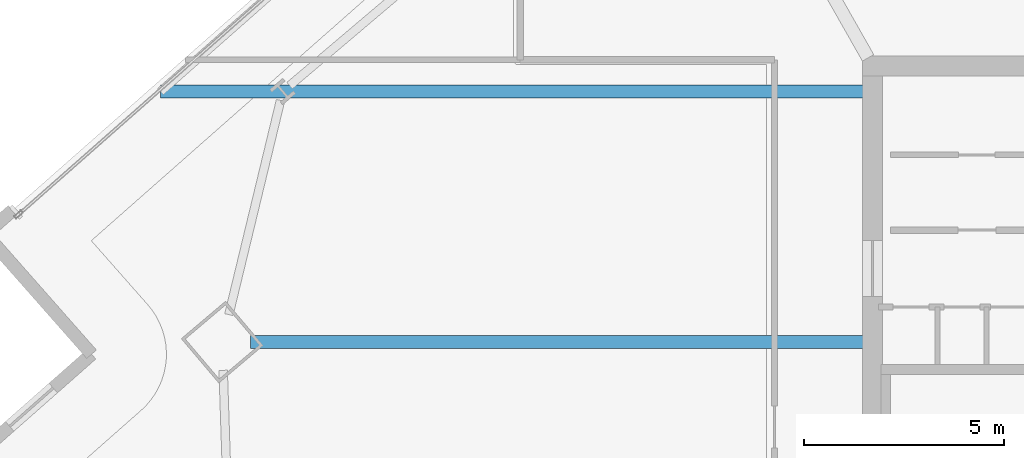
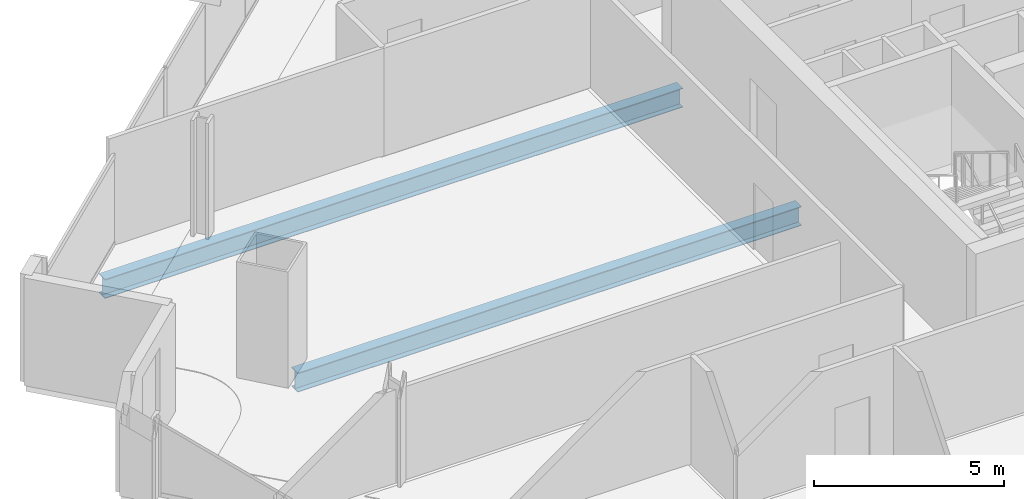
# One storey, part 15 of 34: 2 beams.
"""IFC4 building model written with IfcOpenShell, lengths in metres."""

import ifcopenshell
import ifcopenshell.guid

model = None  # the IFC model being written
_history = None  # IfcOwnerHistory: only IFC2X3 demands one
_inside = {}  # id of a spatial element -> (the spatial element, [elements in it])
_under = {}  # id of a project, library or spatial element -> (it, [spatial elements below it])
_declared = {}  # id of a project -> (the project, [libraries it declares])
_typed = {}  # id of a type object -> (the type object, [elements of that type])
_made_of = {}  # id of a material, layer set ... -> (it, [elements and type objects made of it])


def new_model(schema):
    """Start an empty IFC model of exactly this schema.

    Asked for "IFC4X3", IfcOpenShell would pick the latest addendum, in which some entities
    have other attributes; the version numbers below select the first issue.
    IFC2X3 requires an IfcOwnerHistory on every rooted entity: one is made here for all.
    """
    global model, _history
    if schema == "IFC4X3":
        model = ifcopenshell.file(schema_version=(4, 3, 0, 0))
    else:
        model = ifcopenshell.file(schema=schema)
    _inside.clear()
    _under.clear()
    _declared.clear()
    _typed.clear()
    _made_of.clear()
    _history = None
    if model.schema == "IFC2X3":
        org = make("IfcOrganization", Name="unknown")
        user = make(
            "IfcPersonAndOrganization",
            ThePerson=make("IfcPerson", FamilyName="unknown"),
            TheOrganization=org,
        )
        app = make(
            "IfcApplication",
            ApplicationDeveloper=org,
            Version="unknown",
            ApplicationFullName="unknown",
            ApplicationIdentifier="unknown",
        )
        _history = make(
            "IfcOwnerHistory",
            OwningUser=user,
            OwningApplication=app,
            ChangeAction="ADDED",
            CreationDate=0,
        )
    return model


def make(cls, **values):
    """One entity of the class cls with the attributes given. An attribute that is None is left unset."""
    return model.create_entity(
        cls, **{name: value for name, value in values.items() if value is not None}
    )


def rooted(cls, **values):
    """An entity with a GlobalId (a new one), such as an element, a storey or a relation."""
    return make(cls, GlobalId=ifcopenshell.guid.new(), OwnerHistory=_history, **values)


def si_unit(unit_type, name, prefix=None):
    """IfcSIUnit, for example si_unit("LENGTHUNIT", "METRE", prefix="MILLI")."""
    return make("IfcSIUnit", UnitType=unit_type, Prefix=prefix, Name=name)


def assignment(units):
    """IfcUnitAssignment: the units of a project."""
    return None if units is None else make("IfcUnitAssignment", Units=units)


def point(xyz):
    """IfcCartesianPoint."""
    return None if xyz is None else make("IfcCartesianPoint", Coordinates=xyz)


def direction(xyz):
    """IfcDirection."""
    return None if xyz is None else make("IfcDirection", DirectionRatios=xyz)


def frame(location, z_axis=None, x_axis=None):
    """IfcAxis2Placement3D, a coordinate frame: its origin and axes. An axis left out is left unset."""
    return make(
        "IfcAxis2Placement3D",
        Location=point(location),
        Axis=direction(z_axis),
        RefDirection=direction(x_axis),
    )


def frame_2d(location, x_axis=None):
    """IfcAxis2Placement2D, a coordinate frame in the plane: its origin and x axis."""
    return make(
        "IfcAxis2Placement2D", Location=point(location), RefDirection=direction(x_axis)
    )


def origin():
    """The frame at (0, 0, 0) with its axes left unset."""
    return frame((0.0, 0.0, 0.0))


def origin_2d():
    """The frame at (0, 0) in the plane with its x axis left unset."""
    return frame_2d((0.0, 0.0))


def place(relative_to, where):
    """IfcLocalPlacement: puts the frame where relative to a parent placement (None: the world)."""
    return make(
        "IfcLocalPlacement", PlacementRelTo=relative_to, RelativePlacement=where
    )


def context(
    kind, dimensions, precision=None, world=None, true_north=None, identifier=None
):
    """IfcGeometricRepresentationContext, for example the 3D "Model" context."""
    return make(
        "IfcGeometricRepresentationContext",
        ContextIdentifier=identifier,
        ContextType=kind,
        CoordinateSpaceDimension=dimensions,
        Precision=precision,
        WorldCoordinateSystem=world,
        TrueNorth=true_north,
    )


def subcontext(parent, identifier, kind, view, scale=None):
    """IfcGeometricRepresentationSubContext, for example "Body" below "Model"."""
    return make(
        "IfcGeometricRepresentationSubContext",
        ContextIdentifier=identifier,
        ContextType=kind,
        ParentContext=parent,
        TargetScale=scale,
        TargetView=view,
    )


def project(units=None, contexts=None):
    """IfcProject with its units and contexts."""
    return rooted(
        "IfcProject",
        Name="project",
        RepresentationContexts=contexts,
        UnitsInContext=assignment(units),
    )


def spatial(cls, under=None, at=None, **own):
    """A site, building, storey or space (cls), placed at a placement, below another one or the project."""
    s = rooted(cls, ObjectPlacement=at, **own)
    if under is not None:
        _under.setdefault(under.id(), (under, []))[1].append(s)
    return s


def profile(cls, at=None, kind="AREA", **sizes):
    """A parametric profile (cls). Its sizes go by their IFC names, for example OverallWidth=200.0."""
    return make(cls, ProfileType=kind, Position=at, **sizes)


def i_section(**sizes):
    """IfcIShapeProfileDef."""
    return profile("IfcIShapeProfileDef", **sizes)


def extrude(swept, where, along, depth):
    """IfcExtrudedAreaSolid: the profile swept, set in the frame where, extruded along a direction by depth."""
    return make(
        "IfcExtrudedAreaSolid",
        SweptArea=swept,
        Position=where,
        ExtrudedDirection=direction(along),
        Depth=depth,
    )


def shape(context_of_items, identifier, shape_type, items):
    """IfcShapeRepresentation: the items that make up one representation, for example the "Body"."""
    return make(
        "IfcShapeRepresentation",
        ContextOfItems=context_of_items,
        RepresentationIdentifier=identifier,
        RepresentationType=shape_type,
        Items=items,
    )


def material(Name=None, Category=None):
    """IfcMaterial."""
    return make("IfcMaterial", Name=Name, Category=Category)


def material_profile(
    of_material, cross_section, Name=None, Category=None, Priority=None
):
    """IfcMaterialProfile: a cross section and its material."""
    return make(
        "IfcMaterialProfile",
        Name=Name,
        Material=of_material,
        Profile=cross_section,
        Priority=Priority,
        Category=Category,
    )


def profile_set(profiles, Name=None, composite=None):
    """IfcMaterialProfileSet."""
    return make(
        "IfcMaterialProfileSet",
        Name=Name,
        MaterialProfiles=profiles,
        CompositeProfile=composite,
    )


def made_of(thing, what):
    """Note that an element or type object is made of a material, layer set ...; save() writes the relation."""
    if what is not None:
        _made_of.setdefault(what.id(), (what, []))[1].append(thing)
    return thing


def type_object(cls, material=None, **own):
    """A type object (cls), such as IfcWallType, which elements share."""
    return made_of(rooted(cls, **own), material)


def element(
    cls,
    number,
    at=None,
    inside=None,
    cuts=None,
    type_object=None,
    material=None,
    context=None,
    identifier="Body",
    shape_type=None,
    held_by="IfcProductDefinitionShape",
    body=None,
    shapes=None,
    **own,
):
    """One element of the class cls, such as IfcWall. Its Tag is "e" and its number.

    at: its placement. inside: the storey or other place that contains it. cuts: it is an
    opening in that element (IfcRelVoidsElement). A single representation is given by context,
    identifier, shape_type and body (its items); several are given by shapes. held_by: the class
    of the entity that holds the representations. save() writes the other relations.
    """
    e = rooted(cls, Tag="e%d" % number, ObjectPlacement=at, **own)
    if body is not None:
        shapes = [shape(context, identifier, shape_type, body)]
    if shapes is not None:
        e.Representation = make(held_by, Representations=shapes)
    if inside is not None:
        _inside.setdefault(inside.id(), (inside, []))[1].append(e)
    if cuts is not None:
        rooted(
            "IfcRelVoidsElement", RelatingBuildingElement=cuts, RelatedOpeningElement=e
        )
    if type_object is not None:
        _typed.setdefault(type_object.id(), (type_object, []))[1].append(e)
    return made_of(e, material)


def aggregate(whole, parts):
    """IfcRelAggregates: a whole, such as a stair, and the parts it consists of."""
    return rooted("IfcRelAggregates", RelatingObject=whole, RelatedObjects=parts)


def save(model, path):
    """Write the relations noted so far, then the file.

    IfcRelAggregates (storeys below a building ...), IfcRelContainedInSpatialStructure (elements
    in a storey), IfcRelDefinesByType, IfcRelAssociatesMaterial and IfcRelDeclares: one each for
    every whole, place, type object, material and project.
    """
    for whole, parts in _under.values():
        aggregate(whole, parts)
    for where, things in _inside.values():
        rooted(
            "IfcRelContainedInSpatialStructure",
            RelatedElements=things,
            RelatingStructure=where,
        )
    for kind, things in _typed.values():
        rooted("IfcRelDefinesByType", RelatedObjects=things, RelatingType=kind)
    for what, things in _made_of.values():
        rooted("IfcRelAssociatesMaterial", RelatedObjects=things, RelatingMaterial=what)
    for by, libraries in _declared.values():
        rooted("IfcRelDeclares", RelatingContext=by, RelatedDefinitions=libraries)
    model.write(path)


model = new_model("IFC4")

# Units and contexts
model_context = context("Model", 3, precision=1e-05, world=origin(), true_north=direction((0.0, 1.0)))
body_context = subcontext(model_context, "Body", "Model", "MODEL_VIEW")
ifc_project = project(units=[si_unit("LENGTHUNIT", "METRE"), si_unit("AREAUNIT", "SQUARE_METRE"), si_unit("VOLUMEUNIT", "CUBIC_METRE"), si_unit("PLANEANGLEUNIT", "RADIAN"), si_unit("MASSUNIT", "GRAM", prefix="KILO")], contexts=[model_context])

# Site, building, storey
site_placement = place(None, origin())
site = spatial("IfcSite", under=ifc_project, at=site_placement, CompositionType="ELEMENT")
building_placement = place(site_placement, origin())
building = spatial("IfcBuilding", under=site, at=building_placement, Name="Haldenkirk Collegiate Tower", CompositionType="ELEMENT")
storey_placement = place(building_placement, frame((0.0, 0.0, 166.949951171875)))
storey = spatial("IfcBuildingStorey", under=building, at=storey_placement, Name="L41", CompositionType="ELEMENT", Elevation=166.949951171875)

# Beams
ifc_material = material(Name="Steel ASTM A992 Grade 50", Category="steel")
ifc_material_profile = material_profile(ifc_material, i_section(OverallWidth=0.324951171875, OverallDepth=0.615966796875, WebThickness=0.013916015625, FlangeThickness=0.021484375, at=origin_2d()), Name="W24X117")
ifc_profile_set = profile_set([ifc_material_profile], Name="Steel ASTM A992 Grade 50")
beam_type = type_object("IfcBeamType", Name="BM-GIRDER-W24X117", PredefinedType="BEAM", material=ifc_profile_set)
beam_1_placement = place(storey_placement, frame((11.466064453125, 27.103759765625, -0.597900390625), z_axis=(1.0, 0.0, 0.0), x_axis=(0.0, 1.0, 0.0)))
element("IfcBeam", 1, at=beam_1_placement, inside=storey, type_object=beam_type, Name="L41 primary floor girder 04", PredefinedType="BEAM", context=body_context, shape_type="SweptSolid", body=[
    extrude(i_section(OverallWidth=0.324951171875, OverallDepth=0.615966796875, WebThickness=0.013916015625, FlangeThickness=0.021484375, at=origin_2d()), origin(), (0.0, 0.0, 1.0), 15.303955078125),
])
beam_2_placement = place(storey_placement, frame((9.22119140625, 33.360107421875, -0.597900390625), z_axis=(1.0, 0.0, 0.0), x_axis=(0.0, 1.0, 0.0)))
element("IfcBeam", 2, at=beam_2_placement, inside=storey, type_object=beam_type, Name="L41 primary floor girder 13", PredefinedType="BEAM", context=body_context, shape_type="SweptSolid", body=[
    extrude(i_section(OverallWidth=0.324951171875, OverallDepth=0.615966796875, WebThickness=0.013916015625, FlangeThickness=0.021484375, at=origin_2d()), origin(), (0.0, 0.0, 1.0), 17.548828125),
])

save(model, "model.ifc")
